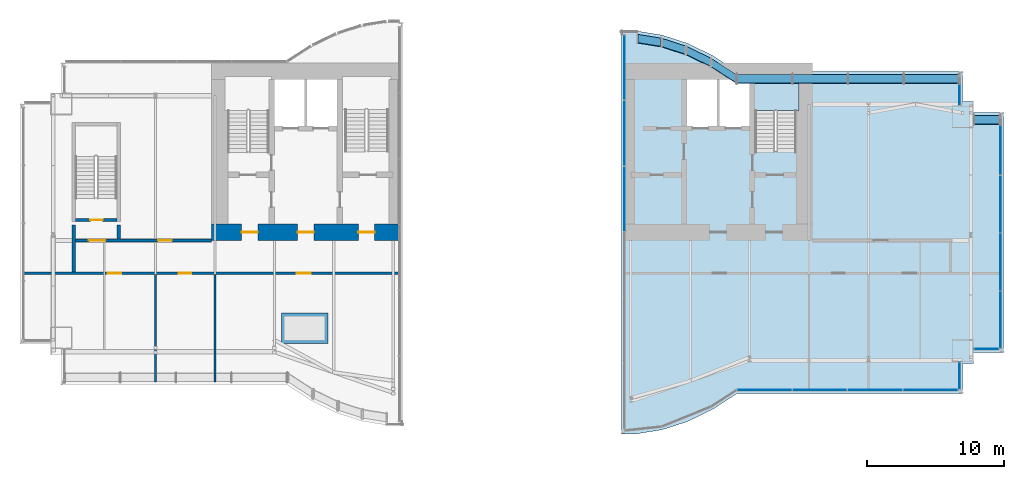
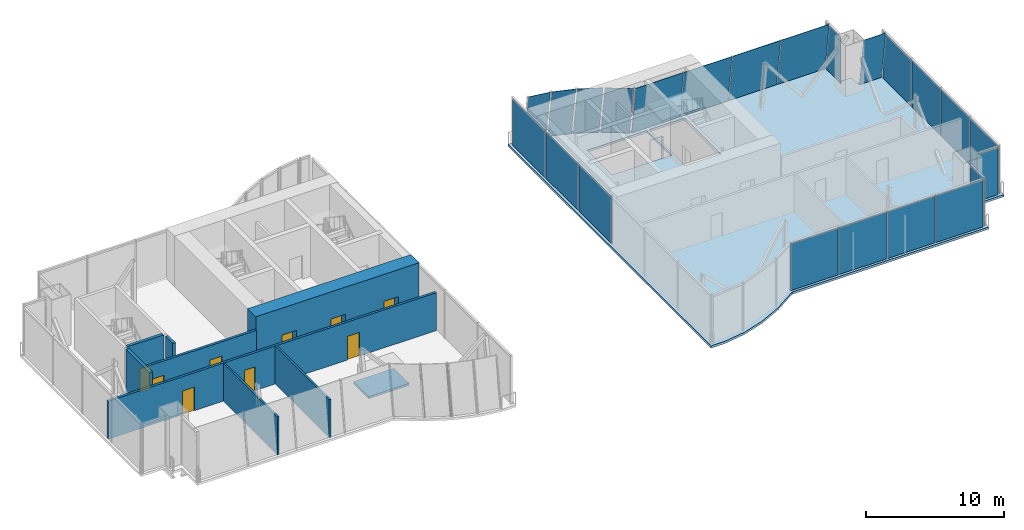
# One storey, part 9 of 14: 23 plates, 9 doors, 9 walls, 2 slabs, 9 openings, 13 elements without a shape of their own.
"""IFC4 building model written with IfcOpenShell, lengths in metres."""

from ifc_helpers import new_model, si_unit, direction, frame, frame_2d, origin, origin_2d, place, context, subcontext, project, spatial, polyline, rectangle, outline, extrude, material, layer, layer_set, type_object, element, fill, aggregate, save


model = new_model("IFC4")

# Units and contexts
model_context = context("Model", 3, precision=1e-05, world=origin(), true_north=direction((0.0, 1.0)))
body_context = subcontext(model_context, "Body", "Model", "MODEL_VIEW")
ifc_project = project(units=[si_unit("LENGTHUNIT", "METRE"), si_unit("AREAUNIT", "SQUARE_METRE"), si_unit("VOLUMEUNIT", "CUBIC_METRE"), si_unit("PLANEANGLEUNIT", "RADIAN"), si_unit("MASSUNIT", "GRAM", prefix="KILO")], contexts=[model_context])

# Site, building, storey
site_placement = place(None, origin())
site = spatial("IfcSite", under=ifc_project, at=site_placement, CompositionType="ELEMENT")
building_placement = place(site_placement, origin())
building = spatial("IfcBuilding", under=site, at=building_placement, Name="Bicima Exchange Tower", CompositionType="ELEMENT")
storey_placement = place(building_placement, frame((0.0, 0.0, 352.39990234375)))
storey = spatial("IfcBuildingStorey", under=building, at=storey_placement, Name="L79", CompositionType="ELEMENT", Elevation=352.39990234375)

# Slab
ifc_material_1 = material(Name="Concrete C40/50", Category="concrete")
ifc_layer_1 = layer(ifc_material_1, 0.199951171875)
ifc_layer_set_1 = layer_set([ifc_layer_1], Name="Concrete C40/50")
slab_type_1 = type_object("IfcSlabType", Name="Composite floor slab 200", PredefinedType="FLOOR", material=ifc_layer_set_1)
slab_1_placement = place(storey_placement, frame((0.0, 0.0, -0.199951171875)))
element("IfcSlab", 1, at=slab_1_placement, inside=storey, type_object=slab_type_1, Name="Floor slab", PredefinedType="FLOOR", context=body_context, shape_type="SweptSolid", body=[
    extrude(outline(polyline([(33.0, -24.18798828125), (16.5, -24.18798828125), (14.666748046875, -25.373291015625), (12.833251953125, -26.26220703125), (11.0, -26.854736328125), (9.166748046875, -27.15087890625), (8.0, -27.15087890625), (8.0, 2.33056640625), (9.166748046875, 2.33056640625), (11.0, 2.0341796875), (12.833251953125, 1.441650390625), (14.666748046875, 0.552734375), (16.5, -0.63232421875), (33.0, -0.63232421875), (33.0, -2.83251953125), (33.800048828125, -2.83251953125), (33.800048828125, -3.63232421875), (36.0, -3.63232421875), (36.0, -21.18798828125), (33.800048828125, -21.18798828125), (33.800048828125, -21.988037109375), (33.0, -21.988037109375), (33.0, -24.18798828125)]), holes=[polyline([(17.800048828125, -1.199951171875), (17.800048828125, -6.449951171875), (20.800048828125, -6.449951171875), (20.800048828125, -1.199951171875), (17.800048828125, -1.199951171875)]), polyline([(15.10009765625, -1.199951171875), (12.60009765625, -1.199951171875), (12.60009765625, -4.800048828125), (15.10009765625, -4.800048828125), (17.60009765625, -4.800048828125), (17.60009765625, -1.199951171875), (15.10009765625, -1.199951171875)])]), origin(), (0.0, 0.0, 1.0), 0.199951171875),
])

# Curtain wall, plate
ifc_material_2 = material(Name="Anodised bronze aluminium", Category="aluminium")
curtain_wall_type = type_object("IfcCurtainWallType", Name="Crown glass wall", PredefinedType="NOTDEFINED", material=ifc_material_2)
curtain_wall_1_placement = place(storey_placement, origin())
curtain_wall_1 = element("IfcCurtainWall", 2, at=curtain_wall_1_placement, inside=storey, type_object=curtain_wall_type, Name="Crown glass wall L79 run 1", PredefinedType="NOTDEFINED")
ifc_material_3 = material(Name="Bronze tinted glass", Category="glass")
ifc_layer_2 = layer(ifc_material_3, 0.035888671875)
ifc_layer_set_2 = layer_set([ifc_layer_2], Name="Bronze tinted glass")
plate_type = type_object("IfcPlateType", Name="Crown glass wall glass panel 36", PredefinedType="CURTAIN_PANEL", material=ifc_layer_set_2)
plate_1_placement = place(storey_placement, frame((32.77001953125, -2.050537109375, 0.0), z_axis=(0.0, 0.0, 1.0), x_axis=(0.0, 1.0, 0.0)))
plate_1 = element("IfcPlate", 3, at=plate_1_placement, type_object=plate_type, Name="Crown glass wall panel 1.1", PredefinedType="CURTAIN_PANEL", context=body_context, shape_type="SweptSolid", body=[
    extrude(rectangle(XDim=2.076416015625, YDim=0.035888671875, at=origin_2d()), origin(), (0.0, 0.0, 1.0), 4.139892578125),
])
aggregate(curtain_wall_1, [plate_1])

# Curtain wall, plates
curtain_wall_2_placement = place(storey_placement, origin())
curtain_wall_2 = element("IfcCurtainWall", 4, at=curtain_wall_2_placement, inside=storey, type_object=curtain_wall_type, Name="Crown glass wall L79 run 8", PredefinedType="NOTDEFINED")
plate_2_placement = place(storey_placement, frame((8.22998046875, -0.33544921875, 0.0), z_axis=(0.0, 0.0, 1.0), x_axis=(0.0, -1.0, 0.0)))
plate_2 = element("IfcPlate", 5, at=plate_2_placement, type_object=plate_type, Name="Crown glass wall panel 1.1", PredefinedType="CURTAIN_PANEL", context=body_context, shape_type="SweptSolid", body=[
    extrude(rectangle(XDim=4.751953125, YDim=0.035888671875, at=origin_2d()), origin(), (0.0, 0.0, 1.0), 4.139892578125),
])
plate_3_placement = place(storey_placement, frame((8.22998046875, -5.1474609375, 0.0), z_axis=(0.0, 0.0, 1.0), x_axis=(0.0, -1.0, 0.0)))
plate_3 = element("IfcPlate", 6, at=plate_3_placement, type_object=plate_type, Name="Crown glass wall panel 2.1", PredefinedType="CURTAIN_PANEL", context=body_context, shape_type="SweptSolid", body=[
    extrude(rectangle(XDim=4.751953125, YDim=0.035888671875, at=origin_2d()), origin(), (0.0, 0.0, 1.0), 4.139892578125),
])
plate_4_placement = place(storey_placement, frame((8.22998046875, -9.959228515625, 0.0), z_axis=(0.0, 0.0, 1.0), x_axis=(0.0, -1.0, 0.0)))
plate_4 = element("IfcPlate", 7, at=plate_4_placement, type_object=plate_type, Name="Crown glass wall panel 3.1", PredefinedType="CURTAIN_PANEL", context=body_context, shape_type="SweptSolid", body=[
    extrude(rectangle(XDim=4.751953125, YDim=0.035888671875, at=origin_2d()), origin(), (0.0, 0.0, 1.0), 4.139892578125),
])
aggregate(curtain_wall_2, [plate_2, plate_3, plate_4])

curtain_wall_3_placement = place(storey_placement, origin())
curtain_wall_3 = element("IfcCurtainWall", 8, at=curtain_wall_3_placement, inside=storey, type_object=curtain_wall_type, Name="Crown glass wall L79 run 12", PredefinedType="NOTDEFINED")
plate_5_placement = place(storey_placement, frame((18.485595703125, -23.9580078125, 0.0), z_axis=(0.0, 0.0, 1.0), x_axis=(1.0, 0.0, 0.0)))
plate_5 = element("IfcPlate", 9, at=plate_5_placement, type_object=plate_type, Name="Crown glass wall panel 1.1", PredefinedType="CURTAIN_PANEL", context=body_context, shape_type="SweptSolid", body=[
    extrude(rectangle(XDim=3.987060546875, YDim=0.035888671875, at=origin_2d()), origin(), (0.0, 0.0, 1.0), 4.139892578125),
])
plate_6_placement = place(storey_placement, frame((22.53271484375, -23.9580078125, 0.0), z_axis=(0.0, 0.0, 1.0), x_axis=(1.0, 0.0, 0.0)))
plate_6 = element("IfcPlate", 10, at=plate_6_placement, type_object=plate_type, Name="Crown glass wall panel 2.1", PredefinedType="CURTAIN_PANEL", context=body_context, shape_type="SweptSolid", body=[
    extrude(rectangle(XDim=3.987060546875, YDim=0.035888671875, at=origin_2d()), origin(), (0.0, 0.0, 1.0), 4.139892578125),
])
plate_7_placement = place(storey_placement, frame((26.57958984375, -23.9580078125, 0.0), z_axis=(0.0, 0.0, 1.0), x_axis=(1.0, 0.0, 0.0)))
plate_7 = element("IfcPlate", 11, at=plate_7_placement, type_object=plate_type, Name="Crown glass wall panel 3.1", PredefinedType="CURTAIN_PANEL", context=body_context, shape_type="SweptSolid", body=[
    extrude(rectangle(XDim=3.987060546875, YDim=0.035888671875, at=origin_2d()), origin(), (0.0, 0.0, 1.0), 4.139892578125),
])
plate_8_placement = place(storey_placement, frame((30.62646484375, -23.9580078125, 0.0), z_axis=(0.0, 0.0, 1.0), x_axis=(1.0, 0.0, 0.0)))
plate_8 = element("IfcPlate", 12, at=plate_8_placement, type_object=plate_type, Name="Crown glass wall panel 4.1", PredefinedType="CURTAIN_PANEL", context=body_context, shape_type="SweptSolid", body=[
    extrude(rectangle(XDim=3.987060546875, YDim=0.035888671875, at=origin_2d()), origin(), (0.0, 0.0, 1.0), 4.139892578125),
])
aggregate(curtain_wall_3, [plate_5, plate_6, plate_7, plate_8])

# Curtain wall, plate
curtain_wall_4_placement = place(storey_placement, origin())
curtain_wall_4 = element("IfcCurtainWall", 13, at=curtain_wall_4_placement, inside=storey, type_object=curtain_wall_type, Name="Crown glass wall L79 run 13", PredefinedType="NOTDEFINED")
plate_9_placement = place(storey_placement, frame((32.77001953125, -22.912109375, 0.0), z_axis=(0.0, 0.0, 1.0), x_axis=(0.0, 1.0, 0.0)))
plate_9 = element("IfcPlate", 14, at=plate_9_placement, type_object=plate_type, Name="Crown glass wall panel 1.1", PredefinedType="CURTAIN_PANEL", context=body_context, shape_type="SweptSolid", body=[
    extrude(rectangle(XDim=1.971923828125, YDim=0.035888671875, at=origin_2d()), origin(), (0.0, 0.0, 1.0), 4.139892578125),
])
aggregate(curtain_wall_4, [plate_9])

curtain_wall_5_placement = place(storey_placement, origin())
curtain_wall_5 = element("IfcCurtainWall", 15, at=curtain_wall_5_placement, inside=storey, type_object=curtain_wall_type, Name="Crown glass wall L79 run 14", PredefinedType="NOTDEFINED")
plate_10_placement = place(storey_placement, frame((34.739990234375, -20.9580078125, 0.0), z_axis=(0.0, 0.0, 1.0), x_axis=(1.0, 0.0, 0.0)))
plate_10 = element("IfcPlate", 16, at=plate_10_placement, type_object=plate_type, Name="Crown glass wall panel 1.1", PredefinedType="CURTAIN_PANEL", context=body_context, shape_type="SweptSolid", body=[
    extrude(rectangle(XDim=1.760009765625, YDim=0.035888671875, at=origin_2d()), origin(), (0.0, 0.0, 1.0), 4.139892578125),
])
aggregate(curtain_wall_5, [plate_10])

# Curtain wall, plates
curtain_wall_6_placement = place(storey_placement, origin())
curtain_wall_6 = element("IfcCurtainWall", 17, at=curtain_wall_6_placement, inside=storey, type_object=curtain_wall_type, Name="Crown glass wall L79 run 15", PredefinedType="NOTDEFINED")
plate_11_placement = place(storey_placement, frame((35.77001953125, -18.809814453125, 0.0), z_axis=(0.0, 0.0, 1.0), x_axis=(0.0, 1.0, 0.0)))
plate_11 = element("IfcPlate", 18, at=plate_11_placement, type_object=plate_type, Name="Crown glass wall panel 1.1", PredefinedType="CURTAIN_PANEL", context=body_context, shape_type="SweptSolid", body=[
    extrude(rectangle(XDim=4.176513671875, YDim=0.035888671875, at=origin_2d()), origin(), (0.0, 0.0, 1.0), 4.139892578125),
])
plate_12_placement = place(storey_placement, frame((35.77001953125, -14.573486328125, 0.0), z_axis=(0.0, 0.0, 1.0), x_axis=(0.0, 1.0, 0.0)))
plate_12 = element("IfcPlate", 19, at=plate_12_placement, type_object=plate_type, Name="Crown glass wall panel 2.1", PredefinedType="CURTAIN_PANEL", context=body_context, shape_type="SweptSolid", body=[
    extrude(rectangle(XDim=4.176513671875, YDim=0.035888671875, at=origin_2d()), origin(), (0.0, 0.0, 1.0), 4.139892578125),
])
plate_13_placement = place(storey_placement, frame((35.77001953125, -10.3369140625, 0.0), z_axis=(0.0, 0.0, 1.0), x_axis=(0.0, 1.0, 0.0)))
plate_13 = element("IfcPlate", 20, at=plate_13_placement, type_object=plate_type, Name="Crown glass wall panel 3.1", PredefinedType="CURTAIN_PANEL", context=body_context, shape_type="SweptSolid", body=[
    extrude(rectangle(XDim=4.176513671875, YDim=0.035888671875, at=origin_2d()), origin(), (0.0, 0.0, 1.0), 4.139892578125),
])
plate_14_placement = place(storey_placement, frame((35.77001953125, -6.1005859375, 0.0), z_axis=(0.0, 0.0, 1.0), x_axis=(0.0, 1.0, 0.0)))
plate_14 = element("IfcPlate", 21, at=plate_14_placement, type_object=plate_type, Name="Crown glass wall panel 4.1", PredefinedType="CURTAIN_PANEL", context=body_context, shape_type="SweptSolid", body=[
    extrude(rectangle(XDim=4.176513671875, YDim=0.035888671875, at=origin_2d()), origin(), (0.0, 0.0, 1.0), 4.139892578125),
])
aggregate(curtain_wall_6, [plate_11, plate_12, plate_13, plate_14])

curtain_wall_7_placement = place(storey_placement, origin())
curtain_wall_7 = element("IfcCurtainWall", 22, at=curtain_wall_7_placement, inside=storey, type_object=curtain_wall_type, Name="Crown tilted glass L79 2.1", PredefinedType="NOTDEFINED")
plate_15_placement = place(storey_placement, frame((32.7099609375, -0.8623046875, 0.0), z_axis=(0.0, 0.990262998319, 0.139209174124), x_axis=(-1.0, 0.0, 0.0)))
plate_15 = element("IfcPlate", 23, at=plate_15_placement, type_object=plate_type, Name="Crown tilted glass panel 1", PredefinedType="CURTAIN_PANEL", context=body_context, shape_type="SweptSolid", body=[
    extrude(outline(polyline([(0.0, 0.0), (4.009521484375, 0.0), (4.009521484375, 4.342330103643402), (0.0, 4.342330103643402), (0.0, 0.0)])), origin(), (0.0, 0.0, -1.0), 0.035888671875),
])
plate_16_placement = place(storey_placement, frame((28.640380859375, -0.8623046875, 0.0), z_axis=(0.0, 0.990262998319, 0.139209174124), x_axis=(-1.0, 0.0, 0.0)))
plate_16 = element("IfcPlate", 24, at=plate_16_placement, type_object=plate_type, Name="Crown tilted glass panel 2", PredefinedType="CURTAIN_PANEL", context=body_context, shape_type="SweptSolid", body=[
    extrude(outline(polyline([(0.0, 0.0), (4.00927734375, 0.0), (4.00927734375, 4.342330103643403), (0.0, 4.342330103643403), (0.0, 0.0)])), origin(), (0.0, 0.0, -1.0), 0.035888671875),
])
plate_17_placement = place(storey_placement, frame((24.571044921875, -0.8623046875, 0.0), z_axis=(0.0, 0.990262998319, 0.139209174124), x_axis=(-1.0, 0.0, 0.0)))
plate_17 = element("IfcPlate", 25, at=plate_17_placement, type_object=plate_type, Name="Crown tilted glass panel 3", PredefinedType="CURTAIN_PANEL", context=body_context, shape_type="SweptSolid", body=[
    extrude(outline(polyline([(0.0, 0.0), (4.009521484375, 0.0), (4.009521484375, 4.342330103643402), (0.0, 4.342330103643402), (0.0, 0.0)])), origin(), (0.0, 0.0, -1.0), 0.035888671875),
])
plate_18_placement = place(storey_placement, frame((20.501708984375, -0.8623046875, 0.0), z_axis=(0.0, 0.990262998319, 0.139209174124), x_axis=(-1.0, 0.0, 0.0)))
plate_18 = element("IfcPlate", 26, at=plate_18_placement, type_object=plate_type, Name="Crown tilted glass panel 4", PredefinedType="CURTAIN_PANEL", context=body_context, shape_type="SweptSolid", body=[
    extrude(outline(polyline([(0.0, 0.0), (4.009521484375, 0.0), (4.009521484375, 4.342330103643402), (0.0, 4.342330103643402), (0.0, 0.0)])), origin(), (0.0, 0.0, -1.0), 0.035888671875),
])
aggregate(curtain_wall_7, [plate_15, plate_16, plate_17, plate_18])

# Curtain wall, plate
curtain_wall_8_placement = place(storey_placement, origin())
curtain_wall_8 = element("IfcCurtainWall", 27, at=curtain_wall_8_placement, inside=storey, type_object=curtain_wall_type, Name="Crown tilted glass L79 3.1", PredefinedType="NOTDEFINED")
plate_19_placement = place(storey_placement, frame((16.381591796875, -0.829833984375, 0.0), z_axis=(0.539165654142, 0.834005763291, 0.117195495608), x_axis=(-0.839792890287, 0.542906899407, 0.0)))
plate_19 = element("IfcPlate", 28, at=plate_19_placement, type_object=plate_type, Name="Crown tilted glass panel 1", PredefinedType="CURTAIN_PANEL", context=body_context, shape_type="SweptSolid", body=[
    extrude(outline(polyline([(0.0, 0.0), (2.116697951583747, 0.0), (1.7886475179822423, 4.3298866658869155), (-0.3280504336015047, 4.3298866658869155), (0.0, 0.0)])), origin(), (0.0, 0.0, -1.0), 0.035888671875),
])
aggregate(curtain_wall_8, [plate_19])

curtain_wall_9_placement = place(storey_placement, origin())
curtain_wall_9 = element("IfcCurtainWall", 29, at=curtain_wall_9_placement, inside=storey, type_object=curtain_wall_type, Name="Crown tilted glass L79 4.1", PredefinedType="NOTDEFINED")
plate_20_placement = place(storey_placement, frame((14.499755859375, 0.378173828125, 0.0), z_axis=(0.432764245492, 0.89273264815, 0.125473211292), x_axis=(-0.899844508599, 0.436210798, 7.244359e-06)))
plate_20 = element("IfcPlate", 30, at=plate_20_placement, type_object=plate_type, Name="Crown tilted glass panel 1", PredefinedType="CURTAIN_PANEL", context=body_context, shape_type="SweptSolid", body=[
    extrude(outline(polyline([(0.0, 0.0), (1.8874807268503508, 0.0), (1.6239323552300162, 4.334290930515845), (-0.2636548683971902, 4.334318496315468), (0.0, 0.0)])), origin(), (0.0, 0.0, -1.0), 0.035888671875),
])
aggregate(curtain_wall_9, [plate_20])

curtain_wall_10_placement = place(storey_placement, origin())
curtain_wall_10 = element("IfcCurtainWall", 31, at=curtain_wall_10_placement, inside=storey, type_object=curtain_wall_type, Name="Crown tilted glass L79 5.1", PredefinedType="NOTDEFINED")
plate_21_placement = place(storey_placement, frame((12.690185546875, 1.24609375, 0.0), z_axis=(0.304908856008, 0.943115575208, 0.132527737957), x_axis=(-0.951508549588, 0.307622300981, 0.0)))
plate_21 = element("IfcPlate", 32, at=plate_21_placement, type_object=plate_type, Name="Crown tilted glass panel 1", PredefinedType="CURTAIN_PANEL", context=body_context, shape_type="SweptSolid", body=[
    extrude(outline(polyline([(0.0, 0.0), (1.772986400889888, 0.0), (1.5871062263468465, 4.33831582381035), (-0.18588017454304137, 4.33831582381035), (0.0, 0.0)])), origin(), (0.0, 0.0, -1.0), 0.035888671875),
])
aggregate(curtain_wall_10, [plate_21])

curtain_wall_11_placement = place(storey_placement, origin())
curtain_wall_11 = element("IfcCurtainWall", 33, at=curtain_wall_11_placement, inside=storey, type_object=curtain_wall_type, Name="Crown tilted glass L79 6.1", PredefinedType="NOTDEFINED")
plate_22_placement = place(storey_placement, frame((10.88671875, 1.819580078125, 0.0), z_axis=(0.158018725341, 0.977825274758, 0.137432945419), x_axis=(-0.987192887516, 0.159531196774, 9.644214e-06)))
plate_22 = element("IfcPlate", 34, at=plate_22_placement, type_object=plate_type, Name="Crown tilted glass panel 1", PredefinedType="CURTAIN_PANEL", context=body_context, shape_type="SweptSolid", body=[
    extrude(outline(polyline([(0.0, 0.0), (1.7009648046760948, 6.938893903907228e-18), (1.6046098612011823, 4.341226939130429), (-0.09639389152100006, 4.341260062751083), (0.0, 0.0)])), origin(), (0.0, 0.0, -1.0), 0.035888671875),
])
aggregate(curtain_wall_11, [plate_22])

curtain_wall_12_placement = place(storey_placement, origin())
curtain_wall_12 = element("IfcCurtainWall", 35, at=curtain_wall_12_placement, inside=storey, type_object=curtain_wall_type, Name="Crown tilted glass L79 18.1", PredefinedType="NOTDEFINED")
plate_23_placement = place(storey_placement, frame((35.7099609375, -3.8623046875, 0.0), z_axis=(0.0, 0.990262998319, 0.139209174124), x_axis=(-1.0, 0.0, 0.0)))
plate_23 = element("IfcPlate", 36, at=plate_23_placement, type_object=plate_type, Name="Crown tilted glass panel 1", PredefinedType="CURTAIN_PANEL", context=body_context, shape_type="SweptSolid", body=[
    extrude(outline(polyline([(0.0, 0.0), (1.849853515625, 0.0), (1.849853515625, 4.342330103643403), (0.0, 4.342330103643403), (0.0, 0.0)])), origin(), (0.0, 0.0, -1.0), 0.035888671875),
])
aggregate(curtain_wall_12, [plate_23])

# Stair, slab
ifc_material_4 = material(Name="Concrete C50/60", Category="concrete")
stair_type = type_object("IfcStairType", Name="Exit stair", PredefinedType="HALF_TURN_STAIR", material=ifc_material_4)
stair_placement = place(storey_placement, origin())
stair = element("IfcStair", 37, at=stair_placement, inside=storey, type_object=stair_type, Name="L79 East exit stair", PredefinedType="HALF_TURN_STAIR")
ifc_layer_3 = layer(ifc_material_4, 0.199951171875)
ifc_layer_set_3 = layer_set([ifc_layer_3], Name="Concrete C50/60")
slab_type_2 = type_object("IfcSlabType", Name="Stair landing slab", PredefinedType="LANDING", material=ifc_layer_set_3)
slab_2_placement = place(storey_placement, frame((0.0, 0.0, 2.050048828125)))
slab_2 = element("IfcSlab", 38, at=slab_2_placement, type_object=slab_type_2, Name="ST-E landing 1", PredefinedType="LANDING", context=body_context, shape_type="SweptSolid", body=[
    extrude(outline(polyline([(21.0, -3.469970703125), (21.0, -1.0), (17.60009765625, -1.0), (17.60009765625, -3.469970703125), (21.0, -3.469970703125)])), origin(), (0.0, 0.0, 1.0), 0.199951171875),
])
aggregate(stair, [slab_2])

# Wall, openings, doors
ifc_material_5 = material(Name="Gypsum board partition")
ifc_layer_4 = layer(ifc_material_5, 0.199951171875)
ifc_layer_set_4 = layer_set([ifc_layer_4], Name="Gypsum board partition")
wall_type_1 = type_object("IfcWallType", Name="Fire-rated gypsum partition 200 EI60", PredefinedType="PARTITIONING", material=ifc_layer_set_4)
wall_1_placement = place(storey_placement, frame((-35.7900390625, -15.39990234375, 0.0), z_axis=(0.0, 0.0, 1.0), x_axis=(1.0, 0.0, 0.0)))
wall_1 = element("IfcWall", 39, at=wall_1_placement, inside=storey, type_object=wall_type_1, Name="partition wall 1", PredefinedType="PARTITIONING", context=body_context, shape_type="SweptSolid", body=[
    extrude(rectangle(XDim=27.489990234375, YDim=0.199951171875, at=frame_2d((13.7451171875, 0.0))), origin(), (0.0, 0.0, 1.0), 3.368408203125),
])
opening_1_placement = place(wall_1_placement, frame((6.18994140625, 0.0, 0.0)))
opening_1 = element("IfcOpeningElement", 40, at=opening_1_placement, cuts=wall_1, Name="Opening L79-004", PredefinedType="OPENING", context=body_context, shape_type="SweptSolid", body=[
    extrude(rectangle(XDim=1.0, YDim=2.10009765625, at=frame_2d((0.5, 1.050048828125))), frame((0.0, 0.11181640625, 0.0), z_axis=(0.0, -1.0, 0.0), x_axis=(1.0, 0.0, 0.0)), (0.0, 0.0, 1.0), 0.223876953125),
])
opening_2_placement = place(wall_1_placement, frame((11.389892578125, 0.0, 0.0)))
opening_2 = element("IfcOpeningElement", 41, at=opening_2_placement, cuts=wall_1, Name="Opening L79-005", PredefinedType="OPENING", context=body_context, shape_type="SweptSolid", body=[
    extrude(rectangle(XDim=0.89990234375, YDim=2.10009765625, at=frame_2d((0.449951171875, 1.050048828125))), frame((0.0, 0.11181640625, 0.0), z_axis=(0.0, -1.0, 0.0), x_axis=(1.0, 0.0, 0.0)), (0.0, 0.0, 1.0), 0.223876953125),
])
opening_3_placement = place(wall_1_placement, frame((20.0400390625, 0.0, 0.0)))
opening_3 = element("IfcOpeningElement", 42, at=opening_3_placement, cuts=wall_1, Name="Opening L79-006", PredefinedType="OPENING", context=body_context, shape_type="SweptSolid", body=[
    extrude(rectangle(XDim=1.0, YDim=2.10009765625, at=frame_2d((0.5, 1.050048828125))), frame((0.0, 0.11181640625, 0.0), z_axis=(0.0, -1.0, 0.0), x_axis=(1.0, 0.0, 0.0)), (0.0, 0.0, 1.0), 0.223876953125),
])
ifc_material_6 = material(Name="Steel fire door leaf", Category="steel")
door_type_1 = type_object("IfcDoorType", Name="Door 1000 swing FD30S", OperationType="SINGLE_SWING_LEFT", PredefinedType="DOOR", material=ifc_material_6)
door_1_placement = place(opening_1_placement, frame((1.0, 0.0, 0.0), z_axis=(0.0, 0.0, 1.0), x_axis=(-1.0, 0.0, 0.0)))
door_1 = element("IfcDoor", 43, at=door_1_placement, inside=storey, type_object=door_type_1, Name="Door", OperationType="SINGLE_SWING_LEFT", OverallHeight=2.10009765625, OverallWidth=1.0, PredefinedType="DOOR", context=body_context, shape_type="SweptSolid", body=[
    extrude(rectangle(XDim=1.0, YDim=2.10009765625, at=frame_2d((0.5, 1.050048828125))), frame((0.0, 0.02490234375, 0.0), z_axis=(0.0, -1.0, 0.0), x_axis=(1.0, 0.0, 0.0)), (0.0, 0.0, 1.0), 0.050048828125),
])
fill(opening_1, door_1)
door_2_placement = place(opening_3_placement, frame((1.0, 0.0, 0.0), z_axis=(0.0, 0.0, 1.0), x_axis=(-1.0, 0.0, 0.0)))
door_2 = element("IfcDoor", 44, at=door_2_placement, inside=storey, type_object=door_type_1, Name="Door", OperationType="SINGLE_SWING_RIGHT", OverallHeight=2.10009765625, OverallWidth=1.0, PredefinedType="DOOR", context=body_context, shape_type="SweptSolid", body=[
    extrude(rectangle(XDim=1.0, YDim=2.10009765625, at=frame_2d((0.5, 1.050048828125))), frame((0.0, 0.02490234375, 0.0), z_axis=(0.0, -1.0, 0.0), x_axis=(1.0, 0.0, 0.0)), (0.0, 0.0, 1.0), 0.050048828125),
])
fill(opening_3, door_2)
door_type_2 = type_object("IfcDoorType", Name="Door 900 swing FD30S", OperationType="SINGLE_SWING_LEFT", PredefinedType="DOOR", material=ifc_material_6)
door_3_placement = place(opening_2_placement, frame((0.89990234375, 0.0, 0.0), z_axis=(0.0, 0.0, 1.0), x_axis=(-1.0, 0.0, 0.0)))
door_3 = element("IfcDoor", 45, at=door_3_placement, inside=storey, type_object=door_type_2, Name="Door", OperationType="SINGLE_SWING_RIGHT", OverallHeight=2.10009765625, OverallWidth=0.89990234375, PredefinedType="DOOR", context=body_context, shape_type="SweptSolid", body=[
    extrude(rectangle(XDim=0.89990234375, YDim=2.10009765625, at=frame_2d((0.449951171875, 1.050048828125))), frame((0.0, 0.02490234375, 0.0), z_axis=(0.0, -1.0, 0.0), x_axis=(1.0, 0.0, 0.0)), (0.0, 0.0, 1.0), 0.050048828125),
])
fill(opening_2, door_3)

wall_2_placement = place(storey_placement, frame((-31.97509765625, -13.0, 0.0), z_axis=(0.0, 0.0, 1.0), x_axis=(1.0, 0.0, 0.0)))
wall_2 = element("IfcWall", 46, at=wall_2_placement, inside=storey, type_object=wall_type_1, Name="partition wall 3", PredefinedType="PARTITIONING", context=body_context, shape_type="SweptSolid", body=[
    extrude(rectangle(XDim=9.97509765625, YDim=0.199951171875, at=frame_2d((4.987548828125, 0.0))), origin(), (0.0, 0.0, 1.0), 3.368408203125),
])
opening_4_placement = place(wall_2_placement, frame((1.0, 0.0, 0.0)))
opening_4 = element("IfcOpeningElement", 47, at=opening_4_placement, cuts=wall_2, Name="Opening L79-001", PredefinedType="OPENING", context=body_context, shape_type="SweptSolid", body=[
    extrude(rectangle(XDim=1.199951171875, YDim=2.10009765625, at=frame_2d((0.60009765625, 1.050048828125))), frame((0.0, 0.11181640625, 0.0), z_axis=(0.0, -1.0, 0.0), x_axis=(1.0, 0.0, 0.0)), (0.0, 0.0, 1.0), 0.223876953125),
])
opening_5_placement = place(wall_2_placement, frame((6.074951171875, 0.0, 0.0)))
opening_5 = element("IfcOpeningElement", 48, at=opening_5_placement, cuts=wall_2, Name="Opening L79-003", PredefinedType="OPENING", context=body_context, shape_type="SweptSolid", body=[
    extrude(rectangle(XDim=1.0, YDim=2.10009765625, at=frame_2d((0.5, 1.050048828125))), frame((0.0, 0.11181640625, 0.0), z_axis=(0.0, -1.0, 0.0), x_axis=(1.0, 0.0, 0.0)), (0.0, 0.0, 1.0), 0.223876953125),
])
door_4_placement = place(opening_5_placement, origin())
door_4 = element("IfcDoor", 49, at=door_4_placement, inside=storey, type_object=door_type_1, Name="Door", OperationType="SINGLE_SWING_RIGHT", OverallHeight=2.10009765625, OverallWidth=1.0, PredefinedType="DOOR", context=body_context, shape_type="SweptSolid", body=[
    extrude(rectangle(XDim=1.0, YDim=2.10009765625, at=frame_2d((0.5, 1.050048828125))), frame((0.0, 0.02490234375, 0.0), z_axis=(0.0, -1.0, 0.0), x_axis=(1.0, 0.0, 0.0)), (0.0, 0.0, 1.0), 0.050048828125),
])
fill(opening_5, door_4)
door_type_3 = type_object("IfcDoorType", Name="Door 1200 swing FD30S", OperationType="SINGLE_SWING_LEFT", PredefinedType="DOOR", material=ifc_material_6)
door_5_placement = place(opening_4_placement, origin())
door_5 = element("IfcDoor", 50, at=door_5_placement, inside=storey, type_object=door_type_3, Name="Door", OperationType="SINGLE_SWING_LEFT", OverallHeight=2.10009765625, OverallWidth=1.199951171875, PredefinedType="DOOR", context=body_context, shape_type="SweptSolid", body=[
    extrude(rectangle(XDim=1.199951171875, YDim=2.10009765625, at=frame_2d((0.60009765625, 1.050048828125))), frame((0.0, 0.02490234375, 0.0), z_axis=(0.0, -1.0, 0.0), x_axis=(1.0, 0.0, 0.0)), (0.0, 0.0, 1.0), 0.050048828125),
])
fill(opening_4, door_5)

# Walls
ifc_layer_5 = layer(ifc_material_5, 0.14990234375)
ifc_layer_set_5 = layer_set([ifc_layer_5], Name="Gypsum board partition")
wall_type_2 = type_object("IfcWallType", Name="Gypsum partition 150", PredefinedType="PARTITIONING", material=ifc_layer_set_5)
for number, where, z_axis, x_axis, name in (
    (51, (-26.10009765625, -23.35009765625, 0.0), (0.0, 0.0, 1.0), (0.0, 1.0, 0.0), "partition wall 9"),
    (52, (-21.75, -23.35009765625, 0.0), (0.0, 0.0, 1.0), (0.0, 1.0, 0.0), "partition wall 10"),
):
    element("IfcWall", number, at=place(storey_placement, frame(where, z_axis=z_axis, x_axis=x_axis)), inside=storey, type_object=wall_type_2, Name=name, PredefinedType="PARTITIONING", context=body_context, shape_type="SweptSolid", body=[
        extrude(rectangle(XDim=7.85009765625, YDim=0.14990234375, at=frame_2d((3.925048828125, 0.0))), origin(), (0.0, 0.0, 1.0), 3.368408203125),
    ])
ifc_layer_6 = layer(ifc_material_1, 0.2)
ifc_layer_set_6 = layer_set([ifc_layer_6], Name="Concrete C40/50")
wall_type_3 = type_object("IfcWallType", Name="Plant plinth 200", PredefinedType="USERDEFINED", material=ifc_layer_set_6)
wall_3_placement = place(storey_placement, frame((-15.18505859375, -19.425048828125, 0.0), z_axis=(0.0, 0.0, 1.0), x_axis=(1.0, 0.0, 0.0)))
element("IfcWall", 53, at=wall_3_placement, inside=storey, type_object=wall_type_3, Name="Plant plinth Pump set", ObjectType="PLINTH", PredefinedType="USERDEFINED", context=body_context, shape_type="SweptSolid", body=[
    extrude(rectangle(XDim=3.39990234375, YDim=2.199951171875, at=origin_2d()), origin(), (0.0, 0.0, 1.0), 0.199951171875),
])

# Wall, openings, doors
ifc_layer_7 = layer(ifc_material_1, 1.199951171875)
ifc_layer_set_7 = layer_set([ifc_layer_7], Name="Concrete C40/50")
wall_type_4 = type_object("IfcWallType", Name="RC core wall 1200 C40/50", PredefinedType="SHEAR", material=ifc_layer_set_7)
wall_4_placement = place(storey_placement, frame((-22.0, -12.39990234375, 0.0), z_axis=(0.0, 0.0, 1.0), x_axis=(1.0, 0.0, 0.0)))
wall_4 = element("IfcWall", 54, at=wall_4_placement, inside=storey, type_object=wall_type_4, Name="Core wall south-W", PredefinedType="SHEAR", context=body_context, shape_type="SweptSolid", body=[
    extrude(rectangle(XDim=13.699951171875, YDim=1.199951171875, at=frame_2d((6.85009765625, 0.0))), origin(), (0.0, 0.0, 1.0), 4.5),
])
opening_6_placement = place(wall_4_placement, frame((2.199951171875, 0.0, 0.0)))
opening_6 = element("IfcOpeningElement", 55, at=opening_6_placement, cuts=wall_4, Name="Opening L79-C12", PredefinedType="OPENING", context=body_context, shape_type="SweptSolid", body=[
    extrude(rectangle(XDim=1.199951171875, YDim=2.10009765625, at=frame_2d((0.60009765625, 1.050048828125))), frame((0.0, 0.61181640625, 0.0), z_axis=(0.0, -1.0, 0.0), x_axis=(1.0, 0.0, 0.0)), (0.0, 0.0, 1.0), 1.223876953125),
])
opening_7_placement = place(wall_4_placement, frame((10.75, 0.0, 0.0)))
opening_7 = element("IfcOpeningElement", 56, at=opening_7_placement, cuts=wall_4, Name="Opening L79-C14", PredefinedType="OPENING", context=body_context, shape_type="SweptSolid", body=[
    extrude(rectangle(XDim=1.199951171875, YDim=2.10009765625, at=frame_2d((0.60009765625, 1.050048828125))), frame((0.0, 0.61181640625, 0.0), z_axis=(0.0, -1.0, 0.0), x_axis=(1.0, 0.0, 0.0)), (0.0, 0.0, 1.0), 1.223876953125),
])
opening_8_placement = place(wall_4_placement, frame((6.300048828125, 0.0, 0.0)))
opening_8 = element("IfcOpeningElement", 57, at=opening_8_placement, cuts=wall_4, Name="Opening L79-C15", PredefinedType="OPENING", context=body_context, shape_type="SweptSolid", body=[
    extrude(rectangle(XDim=1.199951171875, YDim=2.10009765625, at=frame_2d((0.60009765625, 1.050048828125))), frame((0.0, 0.61181640625, 0.0), z_axis=(0.0, -1.0, 0.0), x_axis=(1.0, 0.0, 0.0)), (0.0, 0.0, 1.0), 1.223876953125),
])
door_type_4 = type_object("IfcDoorType", Name="Door 1200 swing FD60S", OperationType="SINGLE_SWING_LEFT", PredefinedType="DOOR", material=ifc_material_6)
door_6_placement = place(opening_6_placement, frame((1.199951171875, 0.0, 0.0), z_axis=(0.0, 0.0, 1.0), x_axis=(-1.0, 0.0, 0.0)))
door_6 = element("IfcDoor", 58, at=door_6_placement, inside=storey, type_object=door_type_4, Name="Core door", OperationType="SINGLE_SWING_RIGHT", OverallHeight=2.10009765625, OverallWidth=1.199951171875, PredefinedType="DOOR", context=body_context, shape_type="SweptSolid", body=[
    extrude(rectangle(XDim=1.199951171875, YDim=2.10009765625, at=frame_2d((0.60009765625, 1.050048828125))), frame((0.0, 0.02490234375, 0.0), z_axis=(0.0, -1.0, 0.0), x_axis=(1.0, 0.0, 0.0)), (0.0, 0.0, 1.0), 0.050048828125),
])
fill(opening_6, door_6)
door_7_placement = place(opening_7_placement, frame((1.199951171875, 0.0, 0.0), z_axis=(0.0, 0.0, 1.0), x_axis=(-1.0, 0.0, 0.0)))
door_7 = element("IfcDoor", 59, at=door_7_placement, inside=storey, type_object=door_type_4, Name="Core door", OperationType="SINGLE_SWING_RIGHT", OverallHeight=2.10009765625, OverallWidth=1.199951171875, PredefinedType="DOOR", context=body_context, shape_type="SweptSolid", body=[
    extrude(rectangle(XDim=1.199951171875, YDim=2.10009765625, at=frame_2d((0.60009765625, 1.050048828125))), frame((0.0, 0.02490234375, 0.0), z_axis=(0.0, -1.0, 0.0), x_axis=(1.0, 0.0, 0.0)), (0.0, 0.0, 1.0), 0.050048828125),
])
fill(opening_7, door_7)
door_8_placement = place(opening_8_placement, frame((1.199951171875, 0.0, 0.0), z_axis=(0.0, 0.0, 1.0), x_axis=(-1.0, 0.0, 0.0)))
door_8 = element("IfcDoor", 60, at=door_8_placement, inside=storey, type_object=door_type_4, Name="Core door", OperationType="SINGLE_SWING_RIGHT", OverallHeight=2.10009765625, OverallWidth=1.199951171875, PredefinedType="DOOR", context=body_context, shape_type="SweptSolid", body=[
    extrude(rectangle(XDim=1.199951171875, YDim=2.10009765625, at=frame_2d((0.60009765625, 1.050048828125))), frame((0.0, 0.02490234375, 0.0), z_axis=(0.0, -1.0, 0.0), x_axis=(1.0, 0.0, 0.0)), (0.0, 0.0, 1.0), 0.050048828125),
])
fill(opening_8, door_8)

# Walls
ifc_layer_8 = layer(ifc_material_4, 0.25)
ifc_layer_set_8 = layer_set([ifc_layer_8], Name="Concrete C50/60")
wall_type_5 = type_object("IfcWallType", Name="RC core wall 250 C50/60", PredefinedType="SHEAR", material=ifc_layer_set_8)
wall_5_placement = place(storey_placement, frame((-32.10009765625, -15.300048828125, 0.0), z_axis=(0.0, 0.0, 1.0), x_axis=(0.0, 1.0, 0.0)))
element("IfcWall", 61, at=wall_5_placement, inside=storey, type_object=wall_type_5, Name="stair wall 7", PredefinedType="SHEAR", context=body_context, shape_type="SweptSolid", body=[
    extrude(rectangle(XDim=3.449951171875, YDim=0.25, at=frame_2d((1.72509765625, 0.0))), origin(), (0.0, 0.0, 1.0), 4.5),
])
wall_6_placement = place(storey_placement, frame((-28.800048828125, -12.89990234375, 0.0), z_axis=(0.0, 0.0, 1.0), x_axis=(0.0, 1.0, 0.0)))
element("IfcWall", 62, at=wall_6_placement, inside=storey, type_object=wall_type_5, Name="stair wall 8", PredefinedType="SHEAR", context=body_context, shape_type="SweptSolid", body=[
    extrude(rectangle(XDim=1.0498046875, YDim=0.25, at=frame_2d((0.52490234375, 0.0))), origin(), (0.0, 0.0, 1.0), 4.5),
])

# Wall, opening, door
ifc_layer_9 = layer(ifc_material_4, 0.25)
ifc_layer_set_9 = layer_set([ifc_layer_9], Name="Concrete C50/60")
wall_type_6 = type_object("IfcWallType", Name="RC stair enclosure wall 250 C50/60", PredefinedType="SHEAR", material=ifc_layer_set_9)
wall_7_placement = place(storey_placement, frame((-31.97509765625, -11.5, 0.0), z_axis=(0.0, 0.0, 1.0), x_axis=(1.0, 0.0, 0.0)))
wall_7 = element("IfcWall", 63, at=wall_7_placement, inside=storey, type_object=wall_type_6, Name="West end exit stair wall S", PredefinedType="SHEAR", context=body_context, shape_type="SweptSolid", body=[
    extrude(rectangle(XDim=3.050048828125, YDim=0.25, at=frame_2d((1.52490234375, 0.0))), origin(), (0.0, 0.0, 1.0), 4.5),
])
opening_9_placement = place(wall_7_placement, frame((1.10009765625, 0.0, 0.0)))
opening_9 = element("IfcOpeningElement", 64, at=opening_9_placement, cuts=wall_7, Name="Opening L79-002", PredefinedType="OPENING", context=body_context, shape_type="SweptSolid", body=[
    extrude(rectangle(XDim=0.89990234375, YDim=2.10009765625, at=frame_2d((0.449951171875, 1.050048828125))), frame((0.0, 0.136962890625, 0.0), z_axis=(0.0, -1.0, 0.0), x_axis=(1.0, 0.0, 0.0)), (0.0, 0.0, 1.0), 0.27392578125),
])
door_type_5 = type_object("IfcDoorType", Name="Door 900 swing FD60S", OperationType="SINGLE_SWING_LEFT", PredefinedType="DOOR", material=ifc_material_6)
door_9_placement = place(opening_9_placement, origin())
door_9 = element("IfcDoor", 65, at=door_9_placement, inside=storey, type_object=door_type_5, Name="Door", OperationType="SINGLE_SWING_LEFT", OverallHeight=2.10009765625, OverallWidth=0.89990234375, PredefinedType="DOOR", context=body_context, shape_type="SweptSolid", body=[
    extrude(rectangle(XDim=0.89990234375, YDim=2.10009765625, at=frame_2d((0.449951171875, 1.050048828125))), frame((0.0, 0.02490234375, 0.0), z_axis=(0.0, -1.0, 0.0), x_axis=(1.0, 0.0, 0.0)), (0.0, 0.0, 1.0), 0.050048828125),
])
fill(opening_9, door_9)

save(model, "model.ifc")
